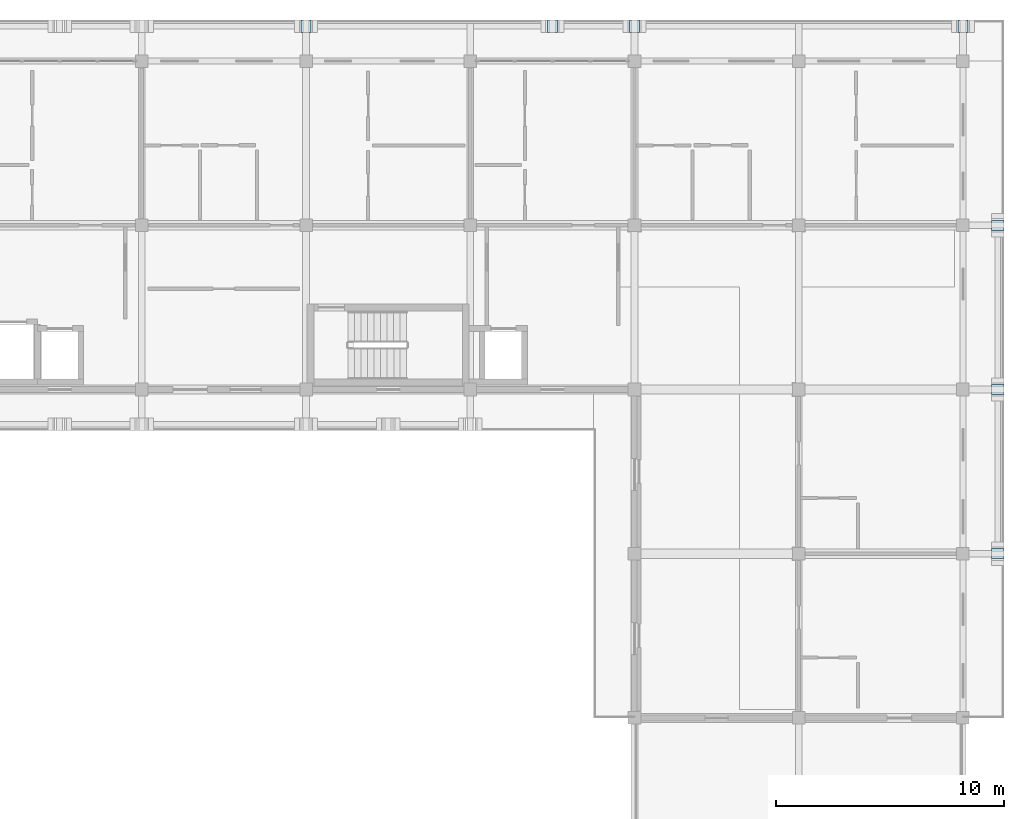
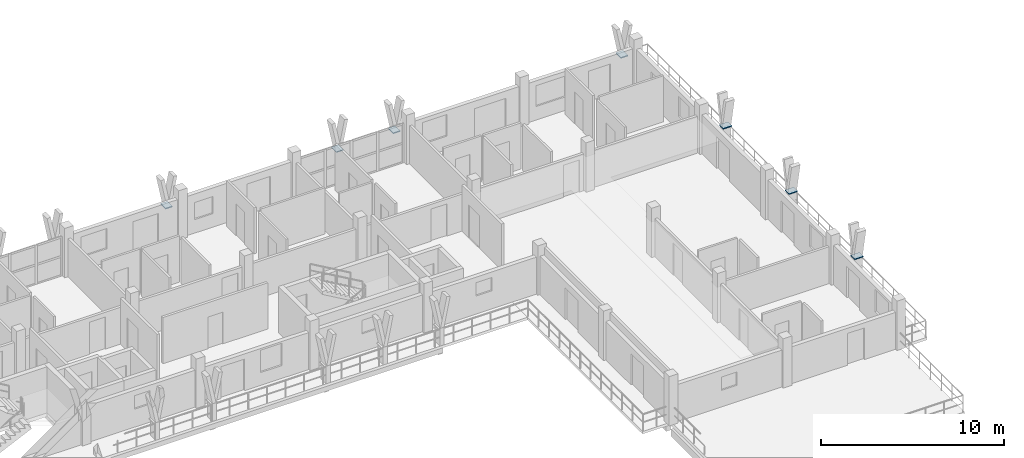
# One storey, part 33 of 60: 7 plates.
"""IFC4 building model written with IfcOpenShell, lengths in metres."""

from ifc_helpers import new_model, si_unit, direction, frame, origin, origin_2d, place, context, subcontext, project, spatial, rectangle, extrude, material, layer, layer_set, type_object, element, save


model = new_model("IFC4")

# Units and contexts
model_context = context("Model", 3, precision=1e-05, world=origin(), true_north=direction((0.0, 1.0)))
body_context = subcontext(model_context, "Body", "Model", "MODEL_VIEW")
ifc_project = project(units=[si_unit("LENGTHUNIT", "METRE"), si_unit("AREAUNIT", "SQUARE_METRE"), si_unit("VOLUMEUNIT", "CUBIC_METRE"), si_unit("PLANEANGLEUNIT", "RADIAN"), si_unit("MASSUNIT", "GRAM", prefix="KILO")], contexts=[model_context])

# Site, building, storey
site_placement = place(None, origin())
site = spatial("IfcSite", under=ifc_project, at=site_placement, CompositionType="ELEMENT")
building_placement = place(site_placement, origin())
building = spatial("IfcBuilding", under=site, at=building_placement, Name="Suanplinth Sawtooth Commons", CompositionType="ELEMENT")
storey_placement = place(building_placement, frame((0.0, 0.0, 31.5)))
storey = spatial("IfcBuildingStorey", under=building, at=storey_placement, Name="L09", CompositionType="ELEMENT", Elevation=31.5)

# Plates
ifc_material = material(Name="Pigmented precast concrete C40/50", Category="concrete")
ifc_layer = layer(ifc_material, 0.06005859375, Name="Precast Y-blade bifurcation node plate 60mm")
ifc_layer_set = layer_set([ifc_layer], Name="Pigmented precast concrete C40/50")
plate_type = type_object("IfcPlateType", Name="PL-04", PredefinedType="USERDEFINED", material=ifc_layer_set)
for number, where, z_axis, x_axis, name in (
    (1, (158.39990234375, 123.919921875, 1.119873046875), (0.0, 0.0, 1.0), (1.0, 0.0, 0.0), "Y-Blade Node Plate L09-B-N-04"),
    (2, (169.199951171875, 123.919921875, 1.119873046875), (0.0, 0.0, 1.0), (1.0, 0.0, 0.0), "Y-Blade Node Plate L09-B-N-05"),
    (3, (172.800048828125, 123.919921875, 1.119873046875), (0.0, 0.0, 1.0), (1.0, 0.0, 0.0), "Y-Blade Node Plate L09-B-N-06"),
    (4, (187.199951171875, 123.919921875, 1.119873046875), (0.0, 0.0, 1.0), (1.0, 0.0, 0.0), "Y-Blade Node Plate L09-B-N-07"),
    (5, (188.719970703125, 100.800048828125, 1.119873046875), (0.0, 0.0, 1.0), (0.0, 1.0, 0.0), "Y-Blade Node Plate L09-B-E-08"),
    (6, (188.719970703125, 108.0, 1.119873046875), (0.0, 0.0, 1.0), (0.0, 1.0, 0.0), "Y-Blade Node Plate L09-B-E-09"),
    (7, (188.719970703125, 115.199951171875, 1.119873046875), (0.0, 0.0, 1.0), (0.0, 1.0, 0.0), "Y-Blade Node Plate L09-B-E-10"),
):
    element("IfcPlate", number, at=place(storey_placement, frame(where, z_axis=z_axis, x_axis=x_axis)), inside=storey, type_object=plate_type, Name=name, ObjectType="GUSSET PLATE", PredefinedType="USERDEFINED", context=body_context, shape_type="SweptSolid", body=[
        extrude(rectangle(XDim=0.43994140625, YDim=0.550048828125, at=origin_2d()), origin(), (0.0, 0.0, 1.0), 0.06005859375),
    ])

save(model, "model.ifc")
